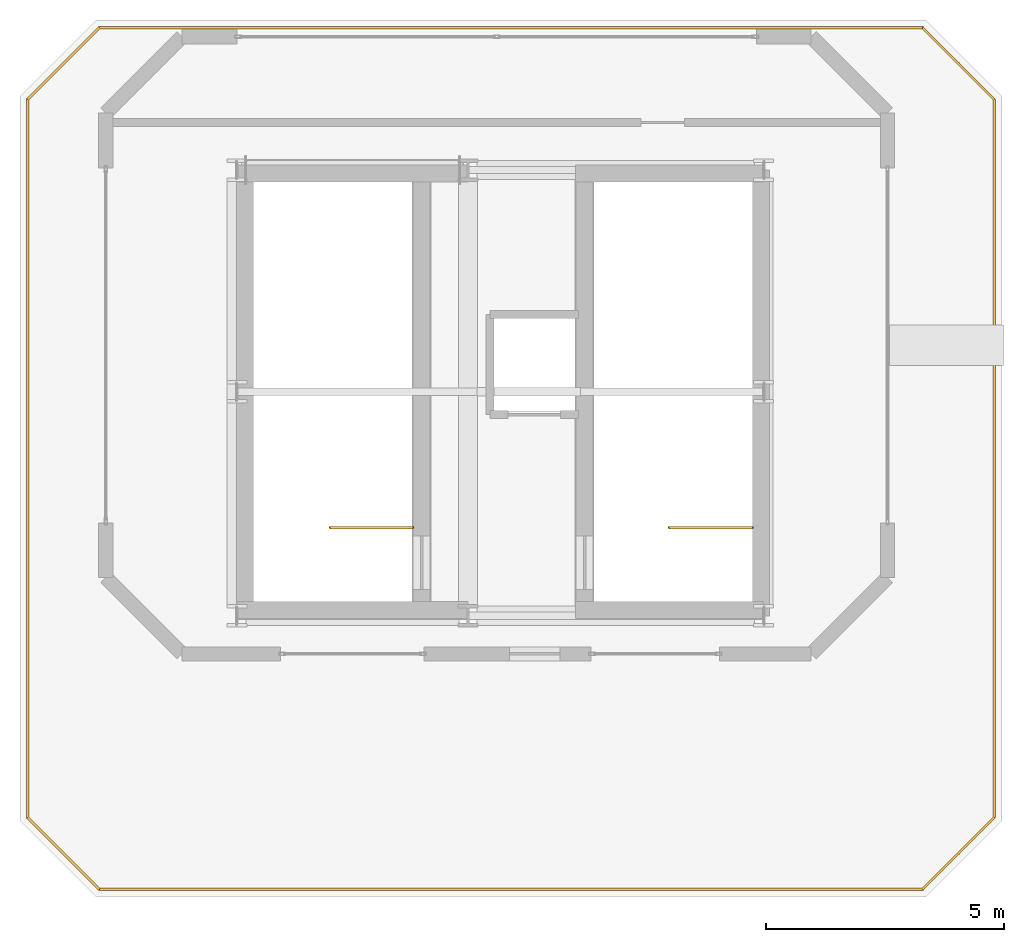
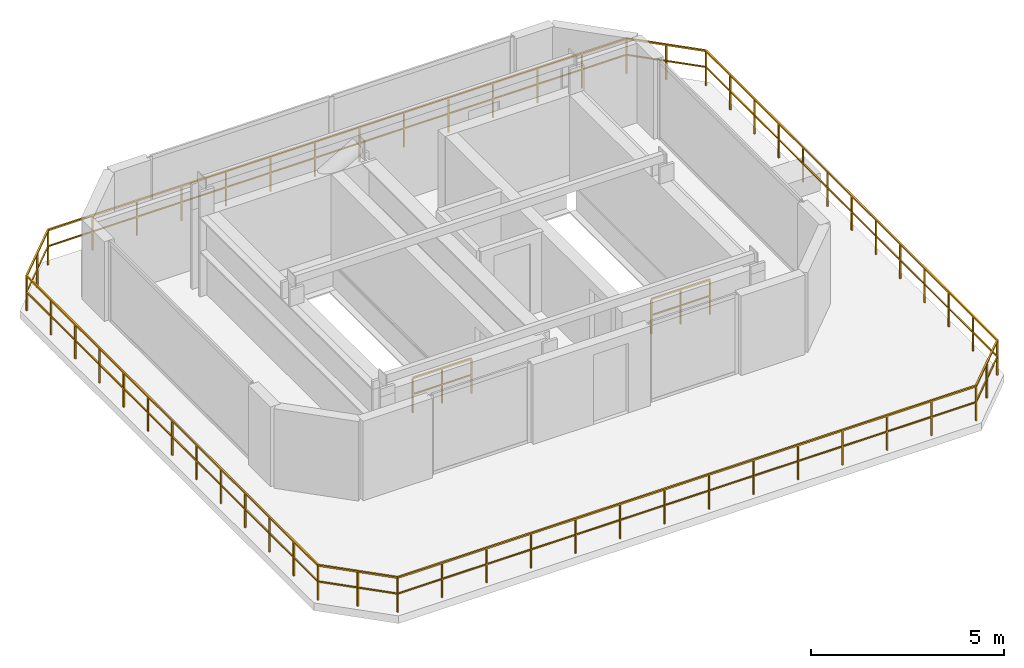
# One storey, part 9 of 9: 4 railings.
"""IFC4 building model written with IfcOpenShell, lengths in metres."""

import ifcopenshell
import ifcopenshell.guid

model = None  # the IFC model being written
_history = None  # IfcOwnerHistory: only IFC2X3 demands one
_inside = {}  # id of a spatial element -> (the spatial element, [elements in it])
_under = {}  # id of a project, library or spatial element -> (it, [spatial elements below it])
_declared = {}  # id of a project -> (the project, [libraries it declares])
_typed = {}  # id of a type object -> (the type object, [elements of that type])
_made_of = {}  # id of a material, layer set ... -> (it, [elements and type objects made of it])


def new_model(schema):
    """Start an empty IFC model of exactly this schema.

    Asked for "IFC4X3", IfcOpenShell would pick the latest addendum, in which some entities
    have other attributes; the version numbers below select the first issue.
    IFC2X3 requires an IfcOwnerHistory on every rooted entity: one is made here for all.
    """
    global model, _history
    if schema == "IFC4X3":
        model = ifcopenshell.file(schema_version=(4, 3, 0, 0))
    else:
        model = ifcopenshell.file(schema=schema)
    _inside.clear()
    _under.clear()
    _declared.clear()
    _typed.clear()
    _made_of.clear()
    _history = None
    if model.schema == "IFC2X3":
        org = make("IfcOrganization", Name="unknown")
        user = make(
            "IfcPersonAndOrganization",
            ThePerson=make("IfcPerson", FamilyName="unknown"),
            TheOrganization=org,
        )
        app = make(
            "IfcApplication",
            ApplicationDeveloper=org,
            Version="unknown",
            ApplicationFullName="unknown",
            ApplicationIdentifier="unknown",
        )
        _history = make(
            "IfcOwnerHistory",
            OwningUser=user,
            OwningApplication=app,
            ChangeAction="ADDED",
            CreationDate=0,
        )
    return model


def make(cls, **values):
    """One entity of the class cls with the attributes given. An attribute that is None is left unset."""
    return model.create_entity(
        cls, **{name: value for name, value in values.items() if value is not None}
    )


def rooted(cls, **values):
    """An entity with a GlobalId (a new one), such as an element, a storey or a relation."""
    return make(cls, GlobalId=ifcopenshell.guid.new(), OwnerHistory=_history, **values)


def si_unit(unit_type, name, prefix=None):
    """IfcSIUnit, for example si_unit("LENGTHUNIT", "METRE", prefix="MILLI")."""
    return make("IfcSIUnit", UnitType=unit_type, Prefix=prefix, Name=name)


def assignment(units):
    """IfcUnitAssignment: the units of a project."""
    return None if units is None else make("IfcUnitAssignment", Units=units)


def point(xyz):
    """IfcCartesianPoint."""
    return None if xyz is None else make("IfcCartesianPoint", Coordinates=xyz)


def direction(xyz):
    """IfcDirection."""
    return None if xyz is None else make("IfcDirection", DirectionRatios=xyz)


def frame(location, z_axis=None, x_axis=None):
    """IfcAxis2Placement3D, a coordinate frame: its origin and axes. An axis left out is left unset."""
    return make(
        "IfcAxis2Placement3D",
        Location=point(location),
        Axis=direction(z_axis),
        RefDirection=direction(x_axis),
    )


def frame_2d(location, x_axis=None):
    """IfcAxis2Placement2D, a coordinate frame in the plane: its origin and x axis."""
    return make(
        "IfcAxis2Placement2D", Location=point(location), RefDirection=direction(x_axis)
    )


def origin():
    """The frame at (0, 0, 0) with its axes left unset."""
    return frame((0.0, 0.0, 0.0))


def origin_2d():
    """The frame at (0, 0) in the plane with its x axis left unset."""
    return frame_2d((0.0, 0.0))


def place(relative_to, where):
    """IfcLocalPlacement: puts the frame where relative to a parent placement (None: the world)."""
    return make(
        "IfcLocalPlacement", PlacementRelTo=relative_to, RelativePlacement=where
    )


def context(
    kind, dimensions, precision=None, world=None, true_north=None, identifier=None
):
    """IfcGeometricRepresentationContext, for example the 3D "Model" context."""
    return make(
        "IfcGeometricRepresentationContext",
        ContextIdentifier=identifier,
        ContextType=kind,
        CoordinateSpaceDimension=dimensions,
        Precision=precision,
        WorldCoordinateSystem=world,
        TrueNorth=true_north,
    )


def subcontext(parent, identifier, kind, view, scale=None):
    """IfcGeometricRepresentationSubContext, for example "Body" below "Model"."""
    return make(
        "IfcGeometricRepresentationSubContext",
        ContextIdentifier=identifier,
        ContextType=kind,
        ParentContext=parent,
        TargetScale=scale,
        TargetView=view,
    )


def project(units=None, contexts=None):
    """IfcProject with its units and contexts."""
    return rooted(
        "IfcProject",
        Name="project",
        RepresentationContexts=contexts,
        UnitsInContext=assignment(units),
    )


def spatial(cls, under=None, at=None, **own):
    """A site, building, storey or space (cls), placed at a placement, below another one or the project."""
    s = rooted(cls, ObjectPlacement=at, **own)
    if under is not None:
        _under.setdefault(under.id(), (under, []))[1].append(s)
    return s


def profile(cls, at=None, kind="AREA", **sizes):
    """A parametric profile (cls). Its sizes go by their IFC names, for example OverallWidth=200.0."""
    return make(cls, ProfileType=kind, Position=at, **sizes)


def rectangle(**sizes):
    """IfcRectangleProfileDef."""
    return profile("IfcRectangleProfileDef", **sizes)


def extrude(swept, where, along, depth):
    """IfcExtrudedAreaSolid: the profile swept, set in the frame where, extruded along a direction by depth."""
    return make(
        "IfcExtrudedAreaSolid",
        SweptArea=swept,
        Position=where,
        ExtrudedDirection=direction(along),
        Depth=depth,
    )


def shape(context_of_items, identifier, shape_type, items):
    """IfcShapeRepresentation: the items that make up one representation, for example the "Body"."""
    return make(
        "IfcShapeRepresentation",
        ContextOfItems=context_of_items,
        RepresentationIdentifier=identifier,
        RepresentationType=shape_type,
        Items=items,
    )


def material(Name=None, Category=None):
    """IfcMaterial."""
    return make("IfcMaterial", Name=Name, Category=Category)


def made_of(thing, what):
    """Note that an element or type object is made of a material, layer set ...; save() writes the relation."""
    if what is not None:
        _made_of.setdefault(what.id(), (what, []))[1].append(thing)
    return thing


def type_object(cls, material=None, **own):
    """A type object (cls), such as IfcWallType, which elements share."""
    return made_of(rooted(cls, **own), material)


def element(
    cls,
    number,
    at=None,
    inside=None,
    cuts=None,
    type_object=None,
    material=None,
    context=None,
    identifier="Body",
    shape_type=None,
    held_by="IfcProductDefinitionShape",
    body=None,
    shapes=None,
    **own,
):
    """One element of the class cls, such as IfcWall. Its Tag is "e" and its number.

    at: its placement. inside: the storey or other place that contains it. cuts: it is an
    opening in that element (IfcRelVoidsElement). A single representation is given by context,
    identifier, shape_type and body (its items); several are given by shapes. held_by: the class
    of the entity that holds the representations. save() writes the other relations.
    """
    e = rooted(cls, Tag="e%d" % number, ObjectPlacement=at, **own)
    if body is not None:
        shapes = [shape(context, identifier, shape_type, body)]
    if shapes is not None:
        e.Representation = make(held_by, Representations=shapes)
    if inside is not None:
        _inside.setdefault(inside.id(), (inside, []))[1].append(e)
    if cuts is not None:
        rooted(
            "IfcRelVoidsElement", RelatingBuildingElement=cuts, RelatedOpeningElement=e
        )
    if type_object is not None:
        _typed.setdefault(type_object.id(), (type_object, []))[1].append(e)
    return made_of(e, material)


def aggregate(whole, parts):
    """IfcRelAggregates: a whole, such as a stair, and the parts it consists of."""
    return rooted("IfcRelAggregates", RelatingObject=whole, RelatedObjects=parts)


def save(model, path):
    """Write the relations noted so far, then the file.

    IfcRelAggregates (storeys below a building ...), IfcRelContainedInSpatialStructure (elements
    in a storey), IfcRelDefinesByType, IfcRelAssociatesMaterial and IfcRelDeclares: one each for
    every whole, place, type object, material and project.
    """
    for whole, parts in _under.values():
        aggregate(whole, parts)
    for where, things in _inside.values():
        rooted(
            "IfcRelContainedInSpatialStructure",
            RelatedElements=things,
            RelatingStructure=where,
        )
    for kind, things in _typed.values():
        rooted("IfcRelDefinesByType", RelatedObjects=things, RelatingType=kind)
    for what, things in _made_of.values():
        rooted("IfcRelAssociatesMaterial", RelatedObjects=things, RelatingMaterial=what)
    for by, libraries in _declared.values():
        rooted("IfcRelDeclares", RelatingContext=by, RelatedDefinitions=libraries)
    model.write(path)


model = new_model("IFC4")

# Units and contexts
model_context = context("Model", 3, precision=1e-05, world=origin(), true_north=direction((0.0, 1.0)))
body_context = subcontext(model_context, "Body", "Model", "MODEL_VIEW")
ifc_project = project(units=[si_unit("LENGTHUNIT", "METRE"), si_unit("AREAUNIT", "SQUARE_METRE"), si_unit("VOLUMEUNIT", "CUBIC_METRE"), si_unit("PLANEANGLEUNIT", "RADIAN"), si_unit("MASSUNIT", "GRAM", prefix="KILO")], contexts=[model_context])

# Site, building, storey
site_placement = place(None, origin())
site = spatial("IfcSite", under=ifc_project, at=site_placement, CompositionType="ELEMENT")
building_placement = place(site_placement, origin())
building = spatial("IfcBuilding", under=site, at=building_placement, Name="Zuhayl Quay Hotel", CompositionType="ELEMENT")
storey_placement = place(building_placement, frame((0.0, 0.0, 316.25)))
storey = spatial("IfcBuildingStorey", under=building, at=storey_placement, Name="Crown 6", CompositionType="ELEMENT", Elevation=316.25)

# Railings
ifc_material_1 = material(Name="Anodised Aluminium and Laminated Glass", Category="aluminium")
railing_type_1 = type_object("IfcRailingType", Name="RL_EXT_BAL_1100", PredefinedType="BALUSTRADE", material=ifc_material_1)
railing_1_placement = place(storey_placement, frame((-12.333740234375, 19.360107421875, 0.0)))
element("IfcRailing", 1, at=railing_1_placement, inside=storey, type_object=railing_type_1, Name="Crown 6 Balcony and Terrace Guard GR_CROWN_6_1A", PredefinedType="BALUSTRADE", context=body_context, shape_type="SweptSolid", body=[
    extrude(rectangle(XDim=0.048095703125, YDim=0.048095703125, at=origin_2d()), frame((0.0, 0.0, 1.09619140625), z_axis=(-0.707164085516, 0.707049472212, 0.0), x_axis=(-0.707049472212, -0.707164085516, 0.0)), (0.0, 0.0, 1.0), 2.130126953125),
    extrude(rectangle(XDim=0.0361328125, YDim=0.0361328125, at=origin_2d()), frame((0.0, 0.0, 0.58251953125), z_axis=(-0.707164085516, 0.707049472212, 0.0), x_axis=(-0.707049472212, -0.707164085516, 0.0)), (0.0, 0.0, 1.0), 2.130126953125),
    extrude(rectangle(XDim=0.048095703125, YDim=0.048095703125, at=origin_2d()), frame((-1.50634765625, 1.506103515625, 1.09619140625), z_axis=(0.0, 1.0, 0.0), x_axis=(-1.0, 0.0, 0.0)), (0.0, 0.0, 1.0), 15.0673828125),
    extrude(rectangle(XDim=0.0361328125, YDim=0.0361328125, at=origin_2d()), frame((-1.50634765625, 1.506103515625, 0.58251953125), z_axis=(0.0, 1.0, 0.0), x_axis=(-1.0, 0.0, 0.0)), (0.0, 0.0, 1.0), 15.0673828125),
    extrude(rectangle(XDim=0.048095703125, YDim=0.048095703125, at=origin_2d()), frame((-1.50634765625, 16.573486328125, 1.09619140625), z_axis=(0.707106781187, 0.707106781187, 0.0), x_axis=(-0.707106781187, 0.707106781187, 0.0)), (0.0, 0.0, 1.0), 2.13037109375),
    extrude(rectangle(XDim=0.0361328125, YDim=0.0361328125, at=origin_2d()), frame((-1.50634765625, 16.573486328125, 0.58251953125), z_axis=(0.707106781187, 0.707106781187, 0.0), x_axis=(-0.707106781187, 0.707106781187, 0.0)), (0.0, 0.0, 1.0), 2.13037109375),
    extrude(rectangle(XDim=0.048095703125, YDim=0.048095703125, at=origin_2d()), frame((0.0, 18.079833984375, 1.09619140625), z_axis=(1.0, 0.0, 0.0), x_axis=(0.0, 1.0, 0.0)), (0.0, 0.0, 1.0), 17.267333984375),
    extrude(rectangle(XDim=0.0361328125, YDim=0.0361328125, at=origin_2d()), frame((0.0, 18.079833984375, 0.58251953125), z_axis=(1.0, 0.0, 0.0), x_axis=(0.0, 1.0, 0.0)), (0.0, 0.0, 1.0), 17.267333984375),
    extrude(rectangle(XDim=0.0419921875, YDim=0.0419921875, at=origin_2d()), origin(), (0.0, 0.0, 1.0), 1.072021484375),
    extrude(rectangle(XDim=0.0419921875, YDim=0.0419921875, at=origin_2d()), frame((-0.753173828125, 0.7529296875, 0.0)), (0.0, 0.0, 1.0), 1.072021484375),
    extrude(rectangle(XDim=0.0419921875, YDim=0.0419921875, at=origin_2d()), frame((-1.50634765625, 1.506103515625, 0.0)), (0.0, 0.0, 1.0), 1.072021484375),
    extrude(rectangle(XDim=0.0419921875, YDim=0.0419921875, at=origin_2d()), frame((-1.50634765625, 2.76171875, 0.0)), (0.0, 0.0, 1.0), 1.072021484375),
    extrude(rectangle(XDim=0.0419921875, YDim=0.0419921875, at=origin_2d()), frame((-1.50634765625, 4.017333984375, 0.0)), (0.0, 0.0, 1.0), 1.072021484375),
    extrude(rectangle(XDim=0.0419921875, YDim=0.0419921875, at=origin_2d()), frame((-1.50634765625, 5.27294921875, 0.0)), (0.0, 0.0, 1.0), 1.072021484375),
    extrude(rectangle(XDim=0.0419921875, YDim=0.0419921875, at=origin_2d()), frame((-1.50634765625, 6.528564453125, 0.0)), (0.0, 0.0, 1.0), 1.072021484375),
    extrude(rectangle(XDim=0.0419921875, YDim=0.0419921875, at=origin_2d()), frame((-1.50634765625, 7.7841796875, 0.0)), (0.0, 0.0, 1.0), 1.072021484375),
    extrude(rectangle(XDim=0.0419921875, YDim=0.0419921875, at=origin_2d()), frame((-1.50634765625, 9.039794921875, 0.0)), (0.0, 0.0, 1.0), 1.072021484375),
    extrude(rectangle(XDim=0.0419921875, YDim=0.0419921875, at=origin_2d()), frame((-1.50634765625, 10.29541015625, 0.0)), (0.0, 0.0, 1.0), 1.072021484375),
    extrude(rectangle(XDim=0.0419921875, YDim=0.0419921875, at=origin_2d()), frame((-1.50634765625, 11.551025390625, 0.0)), (0.0, 0.0, 1.0), 1.072021484375),
    extrude(rectangle(XDim=0.0419921875, YDim=0.0419921875, at=origin_2d()), frame((-1.50634765625, 12.806640625, 0.0)), (0.0, 0.0, 1.0), 1.072021484375),
    extrude(rectangle(XDim=0.0419921875, YDim=0.0419921875, at=origin_2d()), frame((-1.50634765625, 14.062255859375, 0.0)), (0.0, 0.0, 1.0), 1.072021484375),
    extrude(rectangle(XDim=0.0419921875, YDim=0.0419921875, at=origin_2d()), frame((-1.50634765625, 15.31787109375, 0.0)), (0.0, 0.0, 1.0), 1.072021484375),
    extrude(rectangle(XDim=0.0419921875, YDim=0.0419921875, at=origin_2d()), frame((-1.50634765625, 16.573486328125, 0.0)), (0.0, 0.0, 1.0), 1.072021484375),
    extrude(rectangle(XDim=0.0419921875, YDim=0.0419921875, at=origin_2d()), frame((-0.753173828125, 17.32666015625, 0.0)), (0.0, 0.0, 1.0), 1.072021484375),
    extrude(rectangle(XDim=0.0419921875, YDim=0.0419921875, at=origin_2d()), frame((0.0, 18.079833984375, 0.0)), (0.0, 0.0, 1.0), 1.072021484375),
    extrude(rectangle(XDim=0.0419921875, YDim=0.0419921875, at=origin_2d()), frame((1.328369140625, 18.079833984375, 0.0)), (0.0, 0.0, 1.0), 1.072021484375),
    extrude(rectangle(XDim=0.0419921875, YDim=0.0419921875, at=origin_2d()), frame((2.656494140625, 18.079833984375, 0.0)), (0.0, 0.0, 1.0), 1.072021484375),
    extrude(rectangle(XDim=0.0419921875, YDim=0.0419921875, at=origin_2d()), frame((3.98486328125, 18.079833984375, 0.0)), (0.0, 0.0, 1.0), 1.072021484375),
    extrude(rectangle(XDim=0.0419921875, YDim=0.0419921875, at=origin_2d()), frame((5.31298828125, 18.079833984375, 0.0)), (0.0, 0.0, 1.0), 1.072021484375),
    extrude(rectangle(XDim=0.0419921875, YDim=0.0419921875, at=origin_2d()), frame((6.641357421875, 18.079833984375, 0.0)), (0.0, 0.0, 1.0), 1.072021484375),
    extrude(rectangle(XDim=0.0419921875, YDim=0.0419921875, at=origin_2d()), frame((7.969482421875, 18.079833984375, 0.0)), (0.0, 0.0, 1.0), 1.072021484375),
    extrude(rectangle(XDim=0.0419921875, YDim=0.0419921875, at=origin_2d()), frame((9.2978515625, 18.079833984375, 0.0)), (0.0, 0.0, 1.0), 1.072021484375),
    extrude(rectangle(XDim=0.0419921875, YDim=0.0419921875, at=origin_2d()), frame((10.6259765625, 18.079833984375, 0.0)), (0.0, 0.0, 1.0), 1.072021484375),
    extrude(rectangle(XDim=0.0419921875, YDim=0.0419921875, at=origin_2d()), frame((11.954345703125, 18.079833984375, 0.0)), (0.0, 0.0, 1.0), 1.072021484375),
    extrude(rectangle(XDim=0.0419921875, YDim=0.0419921875, at=origin_2d()), frame((13.282470703125, 18.079833984375, 0.0)), (0.0, 0.0, 1.0), 1.072021484375),
    extrude(rectangle(XDim=0.0419921875, YDim=0.0419921875, at=origin_2d()), frame((14.61083984375, 18.079833984375, 0.0)), (0.0, 0.0, 1.0), 1.072021484375),
    extrude(rectangle(XDim=0.0419921875, YDim=0.0419921875, at=origin_2d()), frame((15.93896484375, 18.079833984375, 0.0)), (0.0, 0.0, 1.0), 1.072021484375),
    extrude(rectangle(XDim=0.0419921875, YDim=0.0419921875, at=origin_2d()), frame((17.267333984375, 18.079833984375, 0.0)), (0.0, 0.0, 1.0), 1.072021484375),
])
railing_2_placement = place(storey_placement, frame((4.93359375, 37.43994140625, 0.0)))
element("IfcRailing", 2, at=railing_2_placement, inside=storey, type_object=railing_type_1, Name="Crown 6 Balcony and Terrace Guard GR_CROWN_6_1B", PredefinedType="BALUSTRADE", context=body_context, shape_type="SweptSolid", body=[
    extrude(rectangle(XDim=0.048095703125, YDim=0.048095703125, at=origin_2d()), frame((0.0, 0.0, 1.09619140625), z_axis=(0.707106781187, -0.707106781187, 0.0), x_axis=(0.707106781187, 0.707106781187, 0.0)), (0.0, 0.0, 1.0), 2.13037109375),
    extrude(rectangle(XDim=0.0361328125, YDim=0.0361328125, at=origin_2d()), frame((0.0, 0.0, 0.58251953125), z_axis=(0.707106781187, -0.707106781187, 0.0), x_axis=(0.707106781187, 0.707106781187, 0.0)), (0.0, 0.0, 1.0), 2.13037109375),
    extrude(rectangle(XDim=0.048095703125, YDim=0.048095703125, at=origin_2d()), frame((1.50634765625, -1.50634765625, 1.09619140625), z_axis=(0.0, -1.0, 0.0), x_axis=(1.0, 0.0, 0.0)), (0.0, 0.0, 1.0), 15.0673828125),
    extrude(rectangle(XDim=0.0361328125, YDim=0.0361328125, at=origin_2d()), frame((1.50634765625, -1.50634765625, 0.58251953125), z_axis=(0.0, -1.0, 0.0), x_axis=(1.0, 0.0, 0.0)), (0.0, 0.0, 1.0), 15.0673828125),
    extrude(rectangle(XDim=0.048095703125, YDim=0.048095703125, at=origin_2d()), frame((1.50634765625, -16.57373046875, 1.09619140625), z_axis=(-0.707164085516, -0.707049472212, 0.0), x_axis=(0.707049472212, -0.707164085516, 0.0)), (0.0, 0.0, 1.0), 2.130126953125),
    extrude(rectangle(XDim=0.0361328125, YDim=0.0361328125, at=origin_2d()), frame((1.50634765625, -16.57373046875, 0.58251953125), z_axis=(-0.707164085516, -0.707049472212, 0.0), x_axis=(0.707049472212, -0.707164085516, 0.0)), (0.0, 0.0, 1.0), 2.130126953125),
    extrude(rectangle(XDim=0.048095703125, YDim=0.048095703125, at=origin_2d()), frame((0.0, -18.079833984375, 1.09619140625), z_axis=(-1.0, 0.0, 0.0), x_axis=(0.0, -1.0, 0.0)), (0.0, 0.0, 1.0), 17.267333984375),
    extrude(rectangle(XDim=0.0361328125, YDim=0.0361328125, at=origin_2d()), frame((0.0, -18.079833984375, 0.58251953125), z_axis=(-1.0, 0.0, 0.0), x_axis=(0.0, -1.0, 0.0)), (0.0, 0.0, 1.0), 17.267333984375),
    extrude(rectangle(XDim=0.0419921875, YDim=0.0419921875, at=origin_2d()), origin(), (0.0, 0.0, 1.0), 1.072021484375),
    extrude(rectangle(XDim=0.0419921875, YDim=0.0419921875, at=origin_2d()), frame((0.753173828125, -0.753173828125, 0.0)), (0.0, 0.0, 1.0), 1.072021484375),
    extrude(rectangle(XDim=0.0419921875, YDim=0.0419921875, at=origin_2d()), frame((1.50634765625, -1.50634765625, 0.0)), (0.0, 0.0, 1.0), 1.072021484375),
    extrude(rectangle(XDim=0.0419921875, YDim=0.0419921875, at=origin_2d()), frame((1.50634765625, -2.761962890625, 0.0)), (0.0, 0.0, 1.0), 1.072021484375),
    extrude(rectangle(XDim=0.0419921875, YDim=0.0419921875, at=origin_2d()), frame((1.50634765625, -4.017578125, 0.0)), (0.0, 0.0, 1.0), 1.072021484375),
    extrude(rectangle(XDim=0.0419921875, YDim=0.0419921875, at=origin_2d()), frame((1.50634765625, -5.273193359375, 0.0)), (0.0, 0.0, 1.0), 1.072021484375),
    extrude(rectangle(XDim=0.0419921875, YDim=0.0419921875, at=origin_2d()), frame((1.50634765625, -6.52880859375, 0.0)), (0.0, 0.0, 1.0), 1.072021484375),
    extrude(rectangle(XDim=0.0419921875, YDim=0.0419921875, at=origin_2d()), frame((1.50634765625, -7.784423828125, 0.0)), (0.0, 0.0, 1.0), 1.072021484375),
    extrude(rectangle(XDim=0.0419921875, YDim=0.0419921875, at=origin_2d()), frame((1.50634765625, -9.0400390625, 0.0)), (0.0, 0.0, 1.0), 1.072021484375),
    extrude(rectangle(XDim=0.0419921875, YDim=0.0419921875, at=origin_2d()), frame((1.50634765625, -10.295654296875, 0.0)), (0.0, 0.0, 1.0), 1.072021484375),
    extrude(rectangle(XDim=0.0419921875, YDim=0.0419921875, at=origin_2d()), frame((1.50634765625, -11.55126953125, 0.0)), (0.0, 0.0, 1.0), 1.072021484375),
    extrude(rectangle(XDim=0.0419921875, YDim=0.0419921875, at=origin_2d()), frame((1.50634765625, -12.806884765625, 0.0)), (0.0, 0.0, 1.0), 1.072021484375),
    extrude(rectangle(XDim=0.0419921875, YDim=0.0419921875, at=origin_2d()), frame((1.50634765625, -14.0625, 0.0)), (0.0, 0.0, 1.0), 1.072021484375),
    extrude(rectangle(XDim=0.0419921875, YDim=0.0419921875, at=origin_2d()), frame((1.50634765625, -15.318115234375, 0.0)), (0.0, 0.0, 1.0), 1.072021484375),
    extrude(rectangle(XDim=0.0419921875, YDim=0.0419921875, at=origin_2d()), frame((1.50634765625, -16.57373046875, 0.0)), (0.0, 0.0, 1.0), 1.072021484375),
    extrude(rectangle(XDim=0.0419921875, YDim=0.0419921875, at=origin_2d()), frame((0.753173828125, -17.32666015625, 0.0)), (0.0, 0.0, 1.0), 1.072021484375),
    extrude(rectangle(XDim=0.0419921875, YDim=0.0419921875, at=origin_2d()), frame((0.0, -18.079833984375, 0.0)), (0.0, 0.0, 1.0), 1.072021484375),
    extrude(rectangle(XDim=0.0419921875, YDim=0.0419921875, at=origin_2d()), frame((-1.328369140625, -18.079833984375, 0.0)), (0.0, 0.0, 1.0), 1.072021484375),
    extrude(rectangle(XDim=0.0419921875, YDim=0.0419921875, at=origin_2d()), frame((-2.656494140625, -18.079833984375, 0.0)), (0.0, 0.0, 1.0), 1.072021484375),
    extrude(rectangle(XDim=0.0419921875, YDim=0.0419921875, at=origin_2d()), frame((-3.98486328125, -18.079833984375, 0.0)), (0.0, 0.0, 1.0), 1.072021484375),
    extrude(rectangle(XDim=0.0419921875, YDim=0.0419921875, at=origin_2d()), frame((-5.31298828125, -18.079833984375, 0.0)), (0.0, 0.0, 1.0), 1.072021484375),
    extrude(rectangle(XDim=0.0419921875, YDim=0.0419921875, at=origin_2d()), frame((-6.641357421875, -18.079833984375, 0.0)), (0.0, 0.0, 1.0), 1.072021484375),
    extrude(rectangle(XDim=0.0419921875, YDim=0.0419921875, at=origin_2d()), frame((-7.969482421875, -18.079833984375, 0.0)), (0.0, 0.0, 1.0), 1.072021484375),
    extrude(rectangle(XDim=0.0419921875, YDim=0.0419921875, at=origin_2d()), frame((-9.2978515625, -18.079833984375, 0.0)), (0.0, 0.0, 1.0), 1.072021484375),
    extrude(rectangle(XDim=0.0419921875, YDim=0.0419921875, at=origin_2d()), frame((-10.6259765625, -18.079833984375, 0.0)), (0.0, 0.0, 1.0), 1.072021484375),
    extrude(rectangle(XDim=0.0419921875, YDim=0.0419921875, at=origin_2d()), frame((-11.954345703125, -18.079833984375, 0.0)), (0.0, 0.0, 1.0), 1.072021484375),
    extrude(rectangle(XDim=0.0419921875, YDim=0.0419921875, at=origin_2d()), frame((-13.282470703125, -18.079833984375, 0.0)), (0.0, 0.0, 1.0), 1.072021484375),
    extrude(rectangle(XDim=0.0419921875, YDim=0.0419921875, at=origin_2d()), frame((-14.61083984375, -18.079833984375, 0.0)), (0.0, 0.0, 1.0), 1.072021484375),
    extrude(rectangle(XDim=0.0419921875, YDim=0.0419921875, at=origin_2d()), frame((-15.93896484375, -18.079833984375, 0.0)), (0.0, 0.0, 1.0), 1.072021484375),
    extrude(rectangle(XDim=0.0419921875, YDim=0.0419921875, at=origin_2d()), frame((-17.267333984375, -18.079833984375, 0.0)), (0.0, 0.0, 1.0), 1.072021484375),
])
ifc_material_2 = material(Name="Steel ASTM A992 Grade 50", Category="steel")
railing_type_2 = type_object("IfcRailingType", Name="RL_GUARD_1100", PredefinedType="GUARDRAIL", material=ifc_material_2)
for number, where, name in (
    (3, (-5.75, 26.949951171875, 0.0), "Crown 6 ST5 top well guard 1"),
    (4, (1.3701171875, 26.949951171875, 0.0), "Crown 6 ST6 top well guard 1"),
):
    element("IfcRailing", number, at=place(storey_placement, frame(where)), inside=storey, type_object=railing_type_2, Name=name, PredefinedType="GUARDRAIL", context=body_context, shape_type="SweptSolid", body=[
        extrude(rectangle(XDim=0.048095703125, YDim=0.048095703125, at=origin_2d()), frame((0.0, 0.0, 1.09619140625), z_axis=(-1.0, 0.0, 0.0), x_axis=(0.0, -1.0, 0.0)), (0.0, 0.0, 1.0), 1.75),
        extrude(rectangle(XDim=0.0361328125, YDim=0.0361328125, at=origin_2d()), frame((0.0, 0.0, 0.58251953125), z_axis=(-1.0, 0.0, 0.0), x_axis=(0.0, -1.0, 0.0)), (0.0, 0.0, 1.0), 1.75),
        extrude(rectangle(XDim=0.0419921875, YDim=0.0419921875, at=origin_2d()), origin(), (0.0, 0.0, 1.0), 1.072021484375),
        extrude(rectangle(XDim=0.0419921875, YDim=0.0419921875, at=origin_2d()), frame((-0.875, 0.0, 0.0)), (0.0, 0.0, 1.0), 1.072021484375),
        extrude(rectangle(XDim=0.0419921875, YDim=0.0419921875, at=origin_2d()), frame((-1.75, 0.0, 0.0)), (0.0, 0.0, 1.0), 1.072021484375),
    ])

save(model, "model.ifc")
